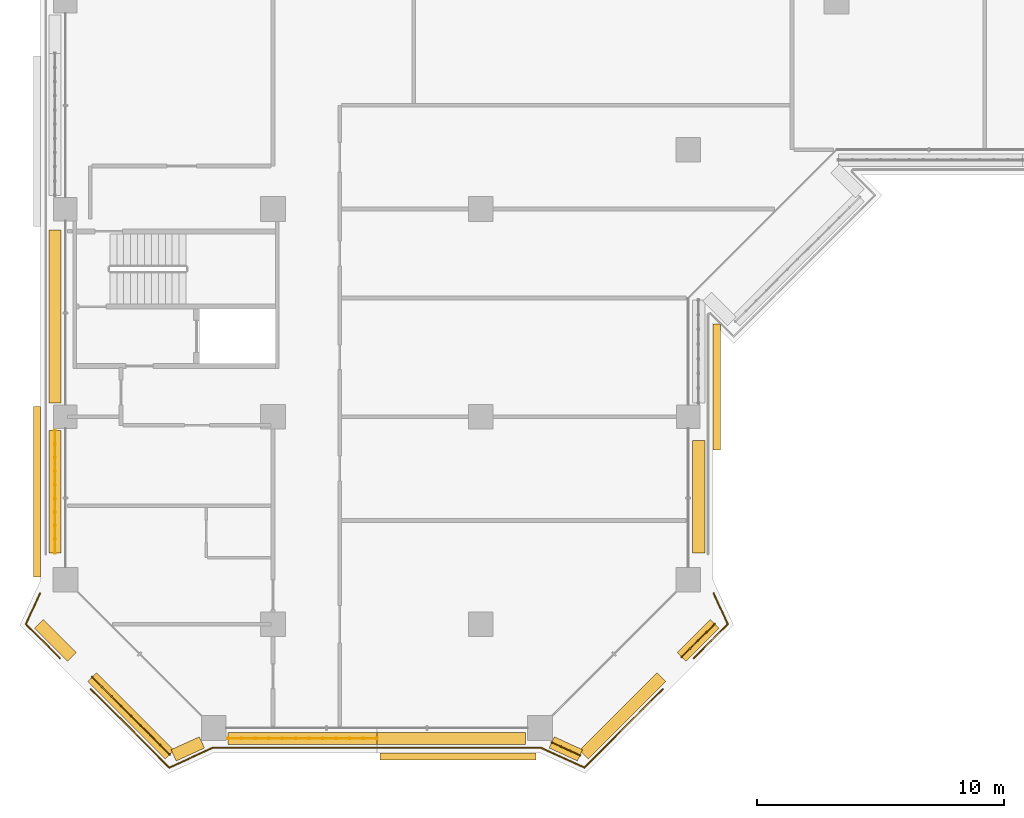
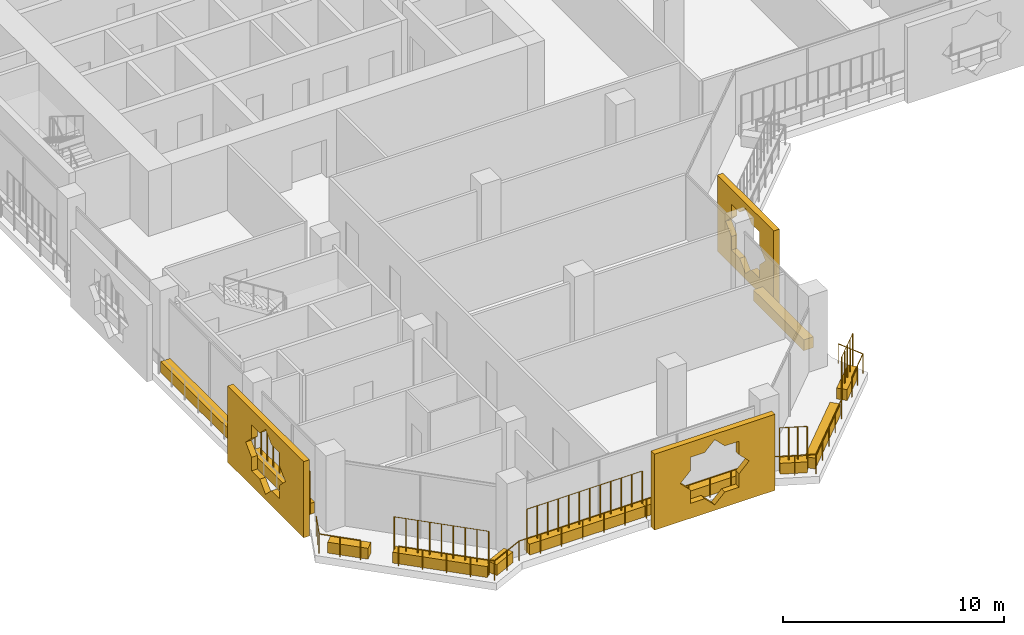
# One storey, part 15 of 22: 14 coverings, 9 railings.
"""IFC4 building model written with IfcOpenShell, lengths in metres."""

from ifc_helpers import new_model, si_unit, direction, frame, origin, origin_2d, place, context, subcontext, project, spatial, polyline, rectangle, circle, outline, extrude, material, material_profile, profile_set, type_object, element, save


model = new_model("IFC4")

# Units and contexts
model_context = context("Model", 3, precision=1e-05, world=origin(), true_north=direction((0.0, 1.0)))
body_context = subcontext(model_context, "Body", "Model", "MODEL_VIEW")
ifc_project = project(units=[si_unit("LENGTHUNIT", "METRE"), si_unit("AREAUNIT", "SQUARE_METRE"), si_unit("VOLUMEUNIT", "CUBIC_METRE"), si_unit("PLANEANGLEUNIT", "RADIAN"), si_unit("MASSUNIT", "GRAM", prefix="KILO")], contexts=[model_context])

# Site, building, storey
site_placement = place(None, origin())
site = spatial("IfcSite", under=ifc_project, at=site_placement, CompositionType="ELEMENT")
building_placement = place(site_placement, origin())
building = spatial("IfcBuilding", under=site, at=building_placement, Name="Kawkab Arch Medical Tower", CompositionType="ELEMENT")
storey_placement = place(building_placement, frame((0.0, 0.0, 179.39990234375)))
storey = spatial("IfcBuildingStorey", under=building, at=storey_placement, Name="L41", CompositionType="ELEMENT", Elevation=179.39990234375)

# Railings
ifc_material_1 = material(Name="Bronze anodised aluminium guard", Category="aluminium")
railing_type_1 = type_object("IfcRailingType", Name="Loggia and terrace guard 1100", PredefinedType="GUARDRAIL", material=ifc_material_1)
railing_1_placement = place(storey_placement, frame((20.9951171875, -56.197998046875, 0.0)))
element("IfcRailing", 1, at=railing_1_placement, inside=storey, type_object=railing_type_1, Name="Guard L41.LOG-01.1.1", PredefinedType="GUARDRAIL", context=body_context, shape_type="SweptSolid", body=[
    extrude(circle(Radius=0.02392578125, at=origin_2d()), frame((0.0, 0.0, 1.076171875), z_axis=(-0.910044860056, 0.414509773934, 0.0), x_axis=(-0.414509773934, -0.910044860056, 0.0)), (0.0, 0.0, 1.0), 1.92529296875),
    extrude(circle(Radius=0.02392578125, at=origin_2d()), frame((-1.752197265625, 0.798095703125, 1.076171875), z_axis=(-1.0, 0.0, 0.0), x_axis=(0.0, -1.0, 0.0)), (0.0, 0.0, 1.0), 13.285888671875),
    extrude(circle(Radius=0.02392578125, at=origin_2d()), frame((-15.0380859375, 0.798095703125, 1.076171875), z_axis=(-0.910023069687, -0.414557610759, 0.0), x_axis=(0.414557610759, -0.910023069687, 0.0)), (0.0, 0.0, 1.0), 1.92529296875),
    extrude(circle(Radius=0.02392578125, at=origin_2d()), frame((-16.7900390625, 0.0, 1.076171875), z_axis=(-0.707106781187, 0.707106781187, 0.0), x_axis=(-0.707106781187, -0.707106781187, 0.0)), (0.0, 0.0, 1.0), 4.490234375),
    extrude(circle(Radius=0.02099609375, at=origin_2d()), origin(), (0.0, 0.0, 1.0), 1.052001953125),
    extrude(circle(Radius=0.02099609375, at=origin_2d()), frame((-0.8759765625, 0.39892578125, 0.0)), (0.0, 0.0, 1.0), 1.052001953125),
    extrude(circle(Radius=0.02099609375, at=origin_2d()), frame((-1.752197265625, 0.798095703125, 0.0)), (0.0, 0.0, 1.0), 1.052001953125),
    extrude(circle(Radius=0.02099609375, at=origin_2d()), frame((-2.859375, 0.798095703125, 0.0)), (0.0, 0.0, 1.0), 1.052001953125),
    extrude(circle(Radius=0.02099609375, at=origin_2d()), frame((-3.966552734375, 0.798095703125, 0.0)), (0.0, 0.0, 1.0), 1.052001953125),
    extrude(circle(Radius=0.02099609375, at=origin_2d()), frame((-5.07373046875, 0.798095703125, 0.0)), (0.0, 0.0, 1.0), 1.052001953125),
    extrude(circle(Radius=0.02099609375, at=origin_2d()), frame((-6.180908203125, 0.798095703125, 0.0)), (0.0, 0.0, 1.0), 1.052001953125),
    extrude(circle(Radius=0.02099609375, at=origin_2d()), frame((-7.2880859375, 0.798095703125, 0.0)), (0.0, 0.0, 1.0), 1.052001953125),
    extrude(circle(Radius=0.02099609375, at=origin_2d()), frame((-8.39501953125, 0.798095703125, 0.0)), (0.0, 0.0, 1.0), 1.052001953125),
    extrude(circle(Radius=0.02099609375, at=origin_2d()), frame((-9.502197265625, 0.798095703125, 0.0)), (0.0, 0.0, 1.0), 1.052001953125),
    extrude(circle(Radius=0.02099609375, at=origin_2d()), frame((-10.609375, 0.798095703125, 0.0)), (0.0, 0.0, 1.0), 1.052001953125),
    extrude(circle(Radius=0.02099609375, at=origin_2d()), frame((-11.716552734375, 0.798095703125, 0.0)), (0.0, 0.0, 1.0), 1.052001953125),
    extrude(circle(Radius=0.02099609375, at=origin_2d()), frame((-12.82373046875, 0.798095703125, 0.0)), (0.0, 0.0, 1.0), 1.052001953125),
    extrude(circle(Radius=0.02099609375, at=origin_2d()), frame((-13.930908203125, 0.798095703125, 0.0)), (0.0, 0.0, 1.0), 1.052001953125),
    extrude(circle(Radius=0.02099609375, at=origin_2d()), frame((-15.0380859375, 0.798095703125, 0.0)), (0.0, 0.0, 1.0), 1.052001953125),
    extrude(circle(Radius=0.02099609375, at=origin_2d()), frame((-15.9140625, 0.39892578125, 0.0)), (0.0, 0.0, 1.0), 1.052001953125),
    extrude(circle(Radius=0.02099609375, at=origin_2d()), frame((-16.7900390625, 0.0, 0.0)), (0.0, 0.0, 1.0), 1.052001953125),
    extrude(circle(Radius=0.02099609375, at=origin_2d()), frame((-17.583740234375, 0.793701171875, 0.0)), (0.0, 0.0, 1.0), 1.052001953125),
    extrude(circle(Radius=0.02099609375, at=origin_2d()), frame((-18.37744140625, 1.58740234375, 0.0)), (0.0, 0.0, 1.0), 1.052001953125),
    extrude(circle(Radius=0.02099609375, at=origin_2d()), frame((-19.17138671875, 2.38134765625, 0.0)), (0.0, 0.0, 1.0), 1.052001953125),
    extrude(circle(Radius=0.02099609375, at=origin_2d()), frame((-19.965087890625, 3.175048828125, 0.0)), (0.0, 0.0, 1.0), 1.052001953125),
])
railing_2_placement = place(storey_placement, frame((-0.222900390625, -51.77001953125, 0.0)))
element("IfcRailing", 2, at=railing_2_placement, inside=storey, type_object=railing_type_1, Name="Guard L41.LOG-01.1.2", PredefinedType="GUARDRAIL", context=body_context, shape_type="SweptSolid", body=[
    extrude(circle(Radius=0.02392578125, at=origin_2d()), frame((0.0, 0.0, 1.076171875), z_axis=(-0.707106781187, 0.707106781187, 0.0), x_axis=(-0.707106781187, -0.707106781187, 0.0)), (0.0, 0.0, 1.0), 1.944580078125),
    extrude(circle(Radius=0.02392578125, at=origin_2d()), frame((-1.375, 1.375, 1.076171875), z_axis=(0.414420337807, 0.910085591366, 0.0), x_axis=(-0.910085591366, 0.414420337807, 0.0)), (0.0, 0.0, 1.0), 1.370361328125),
    extrude(circle(Radius=0.02099609375, at=origin_2d()), origin(), (0.0, 0.0, 1.0), 1.052001953125),
    extrude(circle(Radius=0.02099609375, at=origin_2d()), frame((-0.6875, 0.6875, 0.0)), (0.0, 0.0, 1.0), 1.052001953125),
    extrude(circle(Radius=0.02099609375, at=origin_2d()), frame((-1.375, 1.375, 0.0)), (0.0, 0.0, 1.0), 1.052001953125),
    extrude(circle(Radius=0.02099609375, at=origin_2d()), frame((-1.091064453125, 1.99853515625, 0.0)), (0.0, 0.0, 1.0), 1.052001953125),
    extrude(circle(Radius=0.02099609375, at=origin_2d()), frame((-0.80712890625, 2.6220703125, 0.0)), (0.0, 0.0, 1.0), 1.052001953125),
])
railing_3_placement = place(storey_placement, frame((26.22998046875, -49.14794921875, 0.0)))
element("IfcRailing", 3, at=railing_3_placement, inside=storey, type_object=railing_type_1, Name="Guard L41.LOG-01.1.4", PredefinedType="GUARDRAIL", context=body_context, shape_type="SweptSolid", body=[
    extrude(circle(Radius=0.02392578125, at=origin_2d()), frame((0.0, 0.0, 1.076171875), z_axis=(0.414567890698, -0.910018386629, 0.0), x_axis=(0.910018386629, 0.414567890698, 0.0)), (0.0, 0.0, 1.0), 1.370361328125),
    extrude(circle(Radius=0.02392578125, at=origin_2d()), frame((0.568115234375, -1.2470703125, 1.076171875), z_axis=(-0.707106781187, -0.707106781187, 0.0), x_axis=(0.707106781187, -0.707106781187, 0.0)), (0.0, 0.0, 1.0), 1.944580078125),
    extrude(circle(Radius=0.02099609375, at=origin_2d()), origin(), (0.0, 0.0, 1.0), 1.052001953125),
    extrude(circle(Radius=0.02099609375, at=origin_2d()), frame((0.2841796875, -0.62353515625, 0.0)), (0.0, 0.0, 1.0), 1.052001953125),
    extrude(circle(Radius=0.02099609375, at=origin_2d()), frame((0.568115234375, -1.2470703125, 0.0)), (0.0, 0.0, 1.0), 1.052001953125),
    extrude(circle(Radius=0.02099609375, at=origin_2d()), frame((-0.119384765625, -1.9345703125, 0.0)), (0.0, 0.0, 1.0), 1.052001953125),
    extrude(circle(Radius=0.02099609375, at=origin_2d()), frame((-0.806884765625, -2.6220703125, 0.0)), (0.0, 0.0, 1.0), 1.052001953125),
])
railing_4_placement = place(storey_placement, frame((24.169921875, -53.02294921875, 0.0)))
element("IfcRailing", 4, at=railing_4_placement, inside=storey, type_object=railing_type_1, Name="Guard L41.LOG-01.1.5", PredefinedType="GUARDRAIL", context=body_context, shape_type="SweptSolid", body=[
    extrude(circle(Radius=0.02392578125, at=origin_2d()), frame((0.0, 0.0, 1.076171875), z_axis=(-0.70707959366, -0.707133967668, 0.0), x_axis=(0.707133967668, -0.70707959366, 0.0)), (0.0, 0.0, 1.0), 4.489990234375),
    extrude(circle(Radius=0.02099609375, at=origin_2d()), origin(), (0.0, 0.0, 1.0), 1.052001953125),
    extrude(circle(Radius=0.02099609375, at=origin_2d()), frame((-0.793701171875, -0.793701171875, 0.0)), (0.0, 0.0, 1.0), 1.052001953125),
    extrude(circle(Radius=0.02099609375, at=origin_2d()), frame((-1.58740234375, -1.58740234375, 0.0)), (0.0, 0.0, 1.0), 1.052001953125),
    extrude(circle(Radius=0.02099609375, at=origin_2d()), frame((-2.381103515625, -2.38134765625, 0.0)), (0.0, 0.0, 1.0), 1.052001953125),
    extrude(circle(Radius=0.02099609375, at=origin_2d()), frame((-3.1748046875, -3.175048828125, 0.0)), (0.0, 0.0, 1.0), 1.052001953125),
])

# Coverings
ifc_material_2 = material(Name="Bronze anodised aluminium mashrabiya panel, eight-point star pattern", Category="aluminium")
ifc_material_profile_1 = material_profile(ifc_material_2, outline(polyline([(-2.550048828125, -2.10009765625), (2.550048828125, -2.10009765625), (2.550048828125, 2.10009765625), (-2.550048828125, 2.10009765625), (-2.550048828125, -2.10009765625)]), holes=[polyline([(1.800048828125, 0.0), (1.272705078125, 0.527099609375), (1.272705078125, 1.272705078125), (0.527099609375, 1.272705078125), (0.0, 1.800048828125), (-0.527099609375, 1.272705078125), (-1.272705078125, 1.272705078125), (-1.272705078125, 0.527099609375), (-1.800048828125, 0.0), (-1.272705078125, -0.527099609375), (-1.272705078125, -1.272705078125), (-0.527099609375, -1.272705078125), (0.0, -1.800048828125), (0.527099609375, -1.272705078125), (1.272705078125, -1.272705078125), (1.272705078125, -0.527099609375), (1.800048828125, 0.0)])]), Name="Mashrabiya panel 5100x4200")
ifc_profile_set_1 = profile_set([ifc_material_profile_1], Name="Bronze anodised aluminium mashrabiya panel, eight-point star pattern")
covering_type_1 = type_object("IfcCoveringType", Name="Mashrabiya panel 5100 x 4200", PredefinedType="USERDEFINED", material=ifc_profile_set_1)
covering_1_placement = place(storey_placement, frame((26.199951171875, -40.807373046875, 1.7001953125), z_axis=(1.0, 0.0, 0.0), x_axis=(0.0, 1.0, 0.0)))
element("IfcCovering", 5, at=covering_1_placement, inside=storey, type_object=covering_type_1, Name="Mashrabiya panel L41.LOG-01-01.12", ObjectType="SCREEN", PredefinedType="USERDEFINED", context=body_context, shape_type="SweptSolid", body=[
    extrude(outline(polyline([(-2.550048828125, -2.10009765625), (2.550048828125, -2.10009765625), (2.550048828125, 2.10009765625), (-2.550048828125, 2.10009765625), (-2.550048828125, -2.10009765625)]), holes=[polyline([(1.800048828125, 0.0), (1.272705078125, 0.527099609375), (1.272705078125, 1.272705078125), (0.527099609375, 1.272705078125), (0.0, 1.800048828125), (-0.527099609375, 1.272705078125), (-1.272705078125, 1.272705078125), (-1.272705078125, 0.527099609375), (-1.800048828125, 0.0), (-1.272705078125, -0.527099609375), (-1.272705078125, -1.272705078125), (-0.527099609375, -1.272705078125), (0.0, -1.800048828125), (0.527099609375, -1.272705078125), (1.272705078125, -1.272705078125), (1.272705078125, -0.527099609375), (1.800048828125, 0.0)])]), origin(), (0.0, 0.0, 1.0), 0.300048828125),
])
ifc_material_3 = material(Name="Bronze anodised aluminium mashrabiya panel, eight-point star pattern", Category="aluminium")
ifc_material_profile_2 = material_profile(ifc_material_3, outline(polyline([(-3.14990234375, -2.10009765625), (3.14990234375, -2.10009765625), (3.14990234375, 2.10009765625), (-3.14990234375, 2.10009765625), (-3.14990234375, -2.10009765625)]), holes=[polyline([(1.800048828125, 0.0), (1.272705078125, 0.527099609375), (1.272705078125, 1.272705078125), (0.527099609375, 1.272705078125), (0.0, 1.800048828125), (-0.527099609375, 1.272705078125), (-1.272705078125, 1.272705078125), (-1.272705078125, 0.527099609375), (-1.800048828125, 0.0), (-1.272705078125, -0.527099609375), (-1.272705078125, -1.272705078125), (-0.527099609375, -1.272705078125), (0.0, -1.800048828125), (0.527099609375, -1.272705078125), (1.272705078125, -1.272705078125), (1.272705078125, -0.527099609375), (1.800048828125, 0.0)])]), Name="Mashrabiya panel 6300x4200")
ifc_profile_set_2 = profile_set([ifc_material_profile_2], Name="Bronze anodised aluminium mashrabiya panel, eight-point star pattern")
covering_type_2 = type_object("IfcCoveringType", Name="Mashrabiya panel 6300 x 4200", PredefinedType="USERDEFINED", material=ifc_profile_set_2)
covering_2_placement = place(storey_placement, frame((15.881103515625, -55.60009765625, 1.7001953125), z_axis=(0.0, -1.0, 0.0), x_axis=(1.0, 0.0, 0.0)))
element("IfcCovering", 6, at=covering_2_placement, inside=storey, type_object=covering_type_2, Name="Mashrabiya panel L41.LOG-01-01.1", ObjectType="SCREEN", PredefinedType="USERDEFINED", context=body_context, shape_type="SweptSolid", body=[
    extrude(outline(polyline([(-3.14990234375, -2.10009765625), (3.14990234375, -2.10009765625), (3.14990234375, 2.10009765625), (-3.14990234375, 2.10009765625), (-3.14990234375, -2.10009765625)]), holes=[polyline([(1.800048828125, 0.0), (1.272705078125, 0.527099609375), (1.272705078125, 1.272705078125), (0.527099609375, 1.272705078125), (0.0, 1.800048828125), (-0.527099609375, 1.272705078125), (-1.272705078125, 1.272705078125), (-1.272705078125, 0.527099609375), (-1.800048828125, 0.0), (-1.272705078125, -0.527099609375), (-1.272705078125, -1.272705078125), (-0.527099609375, -1.272705078125), (0.0, -1.800048828125), (0.527099609375, -1.272705078125), (1.272705078125, -1.272705078125), (1.272705078125, -0.527099609375), (1.800048828125, 0.0)])]), origin(), (0.0, 0.0, 1.0), 0.2998046875),
])
ifc_material_4 = material(Name="Bronze anodised aluminium mashrabiya panel, eight-point star pattern", Category="aluminium")
ifc_material_profile_3 = material_profile(ifc_material_4, outline(polyline([(-3.449951171875, -2.10009765625), (3.449951171875, -2.10009765625), (3.449951171875, 2.10009765625), (-3.449951171875, 2.10009765625), (-3.449951171875, -2.10009765625)]), holes=[polyline([(1.800048828125, 0.0), (1.272705078125, 0.527099609375), (1.272705078125, 1.272705078125), (0.527099609375, 1.272705078125), (0.0, 1.800048828125), (-0.527099609375, 1.272705078125), (-1.272705078125, 1.272705078125), (-1.272705078125, 0.527099609375), (-1.800048828125, 0.0), (-1.272705078125, -0.527099609375), (-1.272705078125, -1.272705078125), (-0.527099609375, -1.272705078125), (0.0, -1.800048828125), (0.527099609375, -1.272705078125), (1.272705078125, -1.272705078125), (1.272705078125, -0.527099609375), (1.800048828125, 0.0)])]), Name="Mashrabiya panel 6900x4200")
ifc_profile_set_3 = profile_set([ifc_material_profile_3], Name="Bronze anodised aluminium mashrabiya panel, eight-point star pattern")
covering_type_3 = type_object("IfcCoveringType", Name="Mashrabiya panel 6900 x 4200", PredefinedType="USERDEFINED", material=ifc_profile_set_3)
covering_3_placement = place(storey_placement, frame((-1.0, -45.03173828125, 1.7001953125), z_axis=(-1.0, 0.0, 0.0), x_axis=(0.0, -1.0, 0.0)))
element("IfcCovering", 7, at=covering_3_placement, inside=storey, type_object=covering_type_3, Name="Mashrabiya panel L41.LOG-01-01.2", ObjectType="SCREEN", PredefinedType="USERDEFINED", context=body_context, shape_type="SweptSolid", body=[
    extrude(outline(polyline([(-3.449951171875, -2.10009765625), (3.449951171875, -2.10009765625), (3.449951171875, 2.10009765625), (-3.449951171875, 2.10009765625), (-3.449951171875, -2.10009765625)]), holes=[polyline([(1.800048828125, 0.0), (1.272705078125, 0.527099609375), (1.272705078125, 1.272705078125), (0.527099609375, 1.272705078125), (0.0, 1.800048828125), (-0.527099609375, 1.272705078125), (-1.272705078125, 1.272705078125), (-1.272705078125, 0.527099609375), (-1.800048828125, 0.0), (-1.272705078125, -0.527099609375), (-1.272705078125, -1.272705078125), (-0.527099609375, -1.272705078125), (0.0, -1.800048828125), (0.527099609375, -1.272705078125), (1.272705078125, -1.272705078125), (1.272705078125, -0.527099609375), (1.800048828125, 0.0)])]), origin(), (0.0, 0.0, 1.0), 0.300048828125),
])
ifc_material_5 = material(Name="Planting soil in a precast trough", Category="concrete")
ifc_material_profile_4 = material_profile(ifc_material_5, rectangle(XDim=0.5, YDim=0.60009765625, at=origin_2d()), Name="Trough 500x600")
ifc_profile_set_4 = profile_set([ifc_material_profile_4], Name="Planting soil in a precast trough")
covering_type_4 = type_object("IfcCoveringType", Name="Planter trough 500 x 600", PredefinedType="USERDEFINED", material=ifc_profile_set_4)
covering_4_placement = place(storey_placement, frame((20.821044921875, -55.701904296875, 0.300048828125), z_axis=(-0.909780461959, 0.415089762627, 0.0), x_axis=(-0.415089762627, -0.909780461959, 0.0)))
element("IfcCovering", 8, at=covering_4_placement, inside=storey, type_object=covering_type_4, Name="Planter L41.LOG-01-01.1", ObjectType="PLANTER", PredefinedType="USERDEFINED", context=body_context, shape_type="SweptSolid", body=[
    extrude(rectangle(XDim=0.5, YDim=0.60009765625, at=origin_2d()), origin(), (0.0, 0.0, 1.0), 1.257568359375),
])
for number, where, z_axis, x_axis, name in (
    (9, (18.6201171875, -55.02001953125, 0.300048828125), (-1.0, 0.0, 0.0), (0.0, -1.0, 0.0), "Planter L41.LOG-01-01.2"),
    (10, (12.60009765625, -55.02001953125, 0.300048828125), (-1.0, 0.0, 0.0), (0.0, -1.0, 0.0), "Planter L41.LOG-01-01.3"),
):
    element("IfcCovering", number, at=place(storey_placement, frame(where, z_axis=z_axis, x_axis=x_axis)), inside=storey, type_object=covering_type_4, Name=name, ObjectType="PLANTER", PredefinedType="USERDEFINED", context=body_context, shape_type="SweptSolid", body=[
        extrude(rectangle(XDim=0.5, YDim=0.60009765625, at=origin_2d()), origin(), (0.0, 0.0, 1.0), 6.02001953125),
    ])
covering_5_placement = place(storey_placement, frame((5.52294921875, -55.179931640625, 0.300048828125), z_axis=(-0.909780461959, -0.415089762627, 0.0), x_axis=(0.415089762627, -0.909780461959, 0.0)))
element("IfcCovering", 11, at=covering_5_placement, inside=storey, type_object=covering_type_4, Name="Planter L41.LOG-01-01.4", ObjectType="PLANTER", PredefinedType="USERDEFINED", context=body_context, shape_type="SweptSolid", body=[
    extrude(rectangle(XDim=0.5, YDim=0.60009765625, at=origin_2d()), origin(), (0.0, 0.0, 1.0), 1.257568359375),
])
covering_6_placement = place(storey_placement, frame((4.217041015625, -55.673095703125, 0.300048828125), z_axis=(-0.707079265698, 0.707134295604, 0.0), x_axis=(-0.707134295604, -0.707079265698, 0.0)))
element("IfcCovering", 12, at=covering_6_placement, inside=storey, type_object=covering_type_4, Name="Planter L41.LOG-01-01.5", ObjectType="PLANTER", PredefinedType="USERDEFINED", context=body_context, shape_type="SweptSolid", body=[
    extrude(rectangle(XDim=0.5, YDim=0.60009765625, at=origin_2d()), origin(), (0.0, 0.0, 1.0), 4.4365234375),
])
covering_7_placement = place(storey_placement, frame((0.263916015625, -51.719970703125, 0.300048828125), z_axis=(-0.707106781187, 0.707106781187, 0.0), x_axis=(-0.707106781187, -0.707106781187, 0.0)))
element("IfcCovering", 13, at=covering_7_placement, inside=storey, type_object=covering_type_4, Name="Planter L41.LOG-01-01.6", ObjectType="PLANTER", PredefinedType="USERDEFINED", context=body_context, shape_type="SweptSolid", body=[
    extrude(rectangle(XDim=0.5, YDim=0.60009765625, at=origin_2d()), origin(), (0.0, 0.0, 1.0), 1.890625),
])
covering_8_placement = place(storey_placement, frame((-0.419921875, -47.52001953125, 0.300048828125), z_axis=(0.0, 1.0, 0.0), x_axis=(-1.0, 0.0, 0.0)))
element("IfcCovering", 14, at=covering_8_placement, inside=storey, type_object=covering_type_4, Name="Planter L41.LOG-01-01.7", ObjectType="PLANTER", PredefinedType="USERDEFINED", context=body_context, shape_type="SweptSolid", body=[
    extrude(rectangle(XDim=0.5, YDim=0.60009765625, at=origin_2d()), origin(), (0.0, 0.0, 1.0), 4.965087890625),
])
covering_9_placement = place(storey_placement, frame((-0.419921875, -41.445068359375, 0.300048828125), z_axis=(0.0, 1.0, 0.0), x_axis=(-1.0, 0.0, 0.0)))
element("IfcCovering", 15, at=covering_9_placement, inside=storey, type_object=covering_type_4, Name="Planter L41.LOG-01-01.8", ObjectType="PLANTER", PredefinedType="USERDEFINED", context=body_context, shape_type="SweptSolid", body=[
    extrude(rectangle(XDim=0.5, YDim=0.60009765625, at=origin_2d()), origin(), (0.0, 0.0, 1.0), 7.003173828125),
])
covering_10_placement = place(storey_placement, frame((25.6201171875, -42.955078125, 0.300048828125), z_axis=(0.0, -1.0, 0.0), x_axis=(1.0, 0.0, 0.0)))
element("IfcCovering", 16, at=covering_10_placement, inside=storey, type_object=covering_type_4, Name="Planter L41.LOG-01-01.42", ObjectType="PLANTER", PredefinedType="USERDEFINED", context=body_context, shape_type="SweptSolid", body=[
    extrude(rectangle(XDim=0.5, YDim=0.60009765625, at=origin_2d()), origin(), (0.0, 0.0, 1.0), 4.56494140625),
])
covering_11_placement = place(storey_placement, frame((26.27294921875, -50.383056640625, 0.300048828125), z_axis=(-0.707106781187, -0.707106781187, 0.0), x_axis=(0.707106781187, -0.707106781187, 0.0)))
element("IfcCovering", 17, at=covering_11_placement, inside=storey, type_object=covering_type_4, Name="Planter L41.LOG-01-01.43", ObjectType="PLANTER", PredefinedType="USERDEFINED", context=body_context, shape_type="SweptSolid", body=[
    extrude(rectangle(XDim=0.5, YDim=0.60009765625, at=origin_2d()), origin(), (0.0, 0.0, 1.0), 1.890625),
])
covering_12_placement = place(storey_placement, frame((24.1201171875, -52.535888671875, 0.300048828125), z_axis=(-0.707106781187, -0.707106781187, 0.0), x_axis=(0.707106781187, -0.707106781187, 0.0)))
element("IfcCovering", 18, at=covering_12_placement, inside=storey, type_object=covering_type_4, Name="Planter L41.LOG-01-01.44", ObjectType="PLANTER", PredefinedType="USERDEFINED", context=body_context, shape_type="SweptSolid", body=[
    extrude(rectangle(XDim=0.5, YDim=0.60009765625, at=origin_2d()), origin(), (0.0, 0.0, 1.0), 4.436767578125),
])

# Railings
ifc_material_6 = material(Name="Bronze anodised aluminium trellis for climbing plants", Category="aluminium")
railing_type_2 = type_object("IfcRailingType", Name="Planting trellis 2400", PredefinedType="USERDEFINED", material=ifc_material_6)
railing_5_placement = place(storey_placement, frame((20.821044921875, -55.701904296875, 0.0)))
element("IfcRailing", 19, at=railing_5_placement, inside=storey, type_object=railing_type_2, Name="Planting trellis L41.LOG-01-01.1", ObjectType="TRELLIS", PredefinedType="USERDEFINED", context=body_context, shape_type="SweptSolid", body=[
    extrude(circle(Radius=0.01513671875, at=origin_2d()), frame((0.0, 0.0, 2.384765625), z_axis=(-0.909780461959, 0.415089762627, 0.0), x_axis=(-0.415089762627, -0.909780461959, 0.0)), (0.0, 0.0, 1.0), 1.257568359375),
    extrude(circle(Radius=0.030029296875, at=origin_2d()), origin(), (0.0, 0.0, 1.0), 2.369873046875),
    extrude(circle(Radius=0.030029296875, at=origin_2d()), frame((-0.38134765625, 0.174072265625, 0.0)), (0.0, 0.0, 1.0), 2.369873046875),
    extrude(circle(Radius=0.030029296875, at=origin_2d()), frame((-0.7626953125, 0.347900390625, 0.0)), (0.0, 0.0, 1.0), 2.369873046875),
    extrude(circle(Radius=0.030029296875, at=origin_2d()), frame((-1.14404296875, 0.52197265625, 0.0)), (0.0, 0.0, 1.0), 2.369873046875),
])
railing_6_placement = place(storey_placement, frame((12.60009765625, -55.02001953125, 0.0)))
element("IfcRailing", 20, at=railing_6_placement, inside=storey, type_object=railing_type_2, Name="Planting trellis L41.LOG-01-01.3", ObjectType="TRELLIS", PredefinedType="USERDEFINED", context=body_context, shape_type="SweptSolid", body=[
    extrude(circle(Radius=0.01513671875, at=origin_2d()), frame((0.0, 0.0, 2.384765625), z_axis=(-1.0, 0.0, 0.0), x_axis=(0.0, -1.0, 0.0)), (0.0, 0.0, 1.0), 6.02001953125),
    extrude(circle(Radius=0.030029296875, at=origin_2d()), origin(), (0.0, 0.0, 1.0), 2.369873046875),
    extrude(circle(Radius=0.030029296875, at=origin_2d()), frame((-0.54736328125, 0.0, 0.0)), (0.0, 0.0, 1.0), 2.369873046875),
    extrude(circle(Radius=0.030029296875, at=origin_2d()), frame((-1.094482421875, 0.0, 0.0)), (0.0, 0.0, 1.0), 2.369873046875),
    extrude(circle(Radius=0.030029296875, at=origin_2d()), frame((-1.641845703125, 0.0, 0.0)), (0.0, 0.0, 1.0), 2.369873046875),
    extrude(circle(Radius=0.030029296875, at=origin_2d()), frame((-2.189208984375, 0.0, 0.0)), (0.0, 0.0, 1.0), 2.369873046875),
    extrude(circle(Radius=0.030029296875, at=origin_2d()), frame((-2.736328125, 0.0, 0.0)), (0.0, 0.0, 1.0), 2.369873046875),
    extrude(circle(Radius=0.030029296875, at=origin_2d()), frame((-3.28369140625, 0.0, 0.0)), (0.0, 0.0, 1.0), 2.369873046875),
    extrude(circle(Radius=0.030029296875, at=origin_2d()), frame((-3.830810546875, 0.0, 0.0)), (0.0, 0.0, 1.0), 2.369873046875),
    extrude(circle(Radius=0.030029296875, at=origin_2d()), frame((-4.378173828125, 0.0, 0.0)), (0.0, 0.0, 1.0), 2.369873046875),
    extrude(circle(Radius=0.030029296875, at=origin_2d()), frame((-4.925537109375, 0.0, 0.0)), (0.0, 0.0, 1.0), 2.369873046875),
    extrude(circle(Radius=0.030029296875, at=origin_2d()), frame((-5.47265625, 0.0, 0.0)), (0.0, 0.0, 1.0), 2.369873046875),
    extrude(circle(Radius=0.030029296875, at=origin_2d()), frame((-6.02001953125, 0.0, 0.0)), (0.0, 0.0, 1.0), 2.369873046875),
])
railing_7_placement = place(storey_placement, frame((4.217041015625, -55.673095703125, 0.0)))
element("IfcRailing", 21, at=railing_7_placement, inside=storey, type_object=railing_type_2, Name="Planting trellis L41.LOG-01-01.5", ObjectType="TRELLIS", PredefinedType="USERDEFINED", context=body_context, shape_type="SweptSolid", body=[
    extrude(circle(Radius=0.01513671875, at=origin_2d()), frame((0.0, 0.0, 2.384765625), z_axis=(-0.707079265698, 0.707134295604, 0.0), x_axis=(-0.707134295604, -0.707079265698, 0.0)), (0.0, 0.0, 1.0), 4.4365234375),
    extrude(circle(Radius=0.030029296875, at=origin_2d()), origin(), (0.0, 0.0, 1.0), 2.369873046875),
    extrude(circle(Radius=0.030029296875, at=origin_2d()), frame((-0.39208984375, 0.39208984375, 0.0)), (0.0, 0.0, 1.0), 2.369873046875),
    extrude(circle(Radius=0.030029296875, at=origin_2d()), frame((-0.7841796875, 0.7841796875, 0.0)), (0.0, 0.0, 1.0), 2.369873046875),
    extrude(circle(Radius=0.030029296875, at=origin_2d()), frame((-1.17626953125, 1.176513671875, 0.0)), (0.0, 0.0, 1.0), 2.369873046875),
    extrude(circle(Radius=0.030029296875, at=origin_2d()), frame((-1.568359375, 1.568603515625, 0.0)), (0.0, 0.0, 1.0), 2.369873046875),
    extrude(circle(Radius=0.030029296875, at=origin_2d()), frame((-1.960693359375, 1.960693359375, 0.0)), (0.0, 0.0, 1.0), 2.369873046875),
    extrude(circle(Radius=0.030029296875, at=origin_2d()), frame((-2.352783203125, 2.35302734375, 0.0)), (0.0, 0.0, 1.0), 2.369873046875),
    extrude(circle(Radius=0.030029296875, at=origin_2d()), frame((-2.744873046875, 2.7451171875, 0.0)), (0.0, 0.0, 1.0), 2.369873046875),
    extrude(circle(Radius=0.030029296875, at=origin_2d()), frame((-3.136962890625, 3.13720703125, 0.0)), (0.0, 0.0, 1.0), 2.369873046875),
])
railing_8_placement = place(storey_placement, frame((-0.419921875, -47.52001953125, 0.0)))
element("IfcRailing", 22, at=railing_8_placement, inside=storey, type_object=railing_type_2, Name="Planting trellis L41.LOG-01-01.7", ObjectType="TRELLIS", PredefinedType="USERDEFINED", context=body_context, shape_type="SweptSolid", body=[
    extrude(circle(Radius=0.01513671875, at=origin_2d()), frame((0.0, 0.0, 2.384765625), z_axis=(0.0, 1.0, 0.0), x_axis=(-1.0, 0.0, 0.0)), (0.0, 0.0, 1.0), 4.965087890625),
    extrude(circle(Radius=0.030029296875, at=origin_2d()), origin(), (0.0, 0.0, 1.0), 2.369873046875),
    extrude(circle(Radius=0.030029296875, at=origin_2d()), frame((0.0, 0.5517578125, 0.0)), (0.0, 0.0, 1.0), 2.369873046875),
    extrude(circle(Radius=0.030029296875, at=origin_2d()), frame((0.0, 1.103271484375, 0.0)), (0.0, 0.0, 1.0), 2.369873046875),
    extrude(circle(Radius=0.030029296875, at=origin_2d()), frame((0.0, 1.655029296875, 0.0)), (0.0, 0.0, 1.0), 2.369873046875),
    extrude(circle(Radius=0.030029296875, at=origin_2d()), frame((0.0, 2.206787109375, 0.0)), (0.0, 0.0, 1.0), 2.369873046875),
    extrude(circle(Radius=0.030029296875, at=origin_2d()), frame((0.0, 2.75830078125, 0.0)), (0.0, 0.0, 1.0), 2.369873046875),
    extrude(circle(Radius=0.030029296875, at=origin_2d()), frame((0.0, 3.31005859375, 0.0)), (0.0, 0.0, 1.0), 2.369873046875),
    extrude(circle(Radius=0.030029296875, at=origin_2d()), frame((0.0, 3.86181640625, 0.0)), (0.0, 0.0, 1.0), 2.369873046875),
    extrude(circle(Radius=0.030029296875, at=origin_2d()), frame((0.0, 4.413330078125, 0.0)), (0.0, 0.0, 1.0), 2.369873046875),
    extrude(circle(Radius=0.030029296875, at=origin_2d()), frame((0.0, 4.965087890625, 0.0)), (0.0, 0.0, 1.0), 2.369873046875),
])
railing_9_placement = place(storey_placement, frame((26.27294921875, -50.383056640625, 0.0)))
element("IfcRailing", 23, at=railing_9_placement, inside=storey, type_object=railing_type_2, Name="Planting trellis L41.LOG-01-01.43", ObjectType="TRELLIS", PredefinedType="USERDEFINED", context=body_context, shape_type="SweptSolid", body=[
    extrude(circle(Radius=0.01513671875, at=origin_2d()), frame((0.0, 0.0, 2.384765625), z_axis=(-0.707106781187, -0.707106781187, 0.0), x_axis=(0.707106781187, -0.707106781187, 0.0)), (0.0, 0.0, 1.0), 1.890625),
    extrude(circle(Radius=0.030029296875, at=origin_2d()), origin(), (0.0, 0.0, 1.0), 2.369873046875),
    extrude(circle(Radius=0.030029296875, at=origin_2d()), frame((-0.334228515625, -0.334228515625, 0.0)), (0.0, 0.0, 1.0), 2.369873046875),
    extrude(circle(Radius=0.030029296875, at=origin_2d()), frame((-0.66845703125, -0.66845703125, 0.0)), (0.0, 0.0, 1.0), 2.369873046875),
    extrude(circle(Radius=0.030029296875, at=origin_2d()), frame((-1.002685546875, -1.002685546875, 0.0)), (0.0, 0.0, 1.0), 2.369873046875),
    extrude(circle(Radius=0.030029296875, at=origin_2d()), frame((-1.3369140625, -1.3369140625, 0.0)), (0.0, 0.0, 1.0), 2.369873046875),
])

save(model, "model.ifc")
